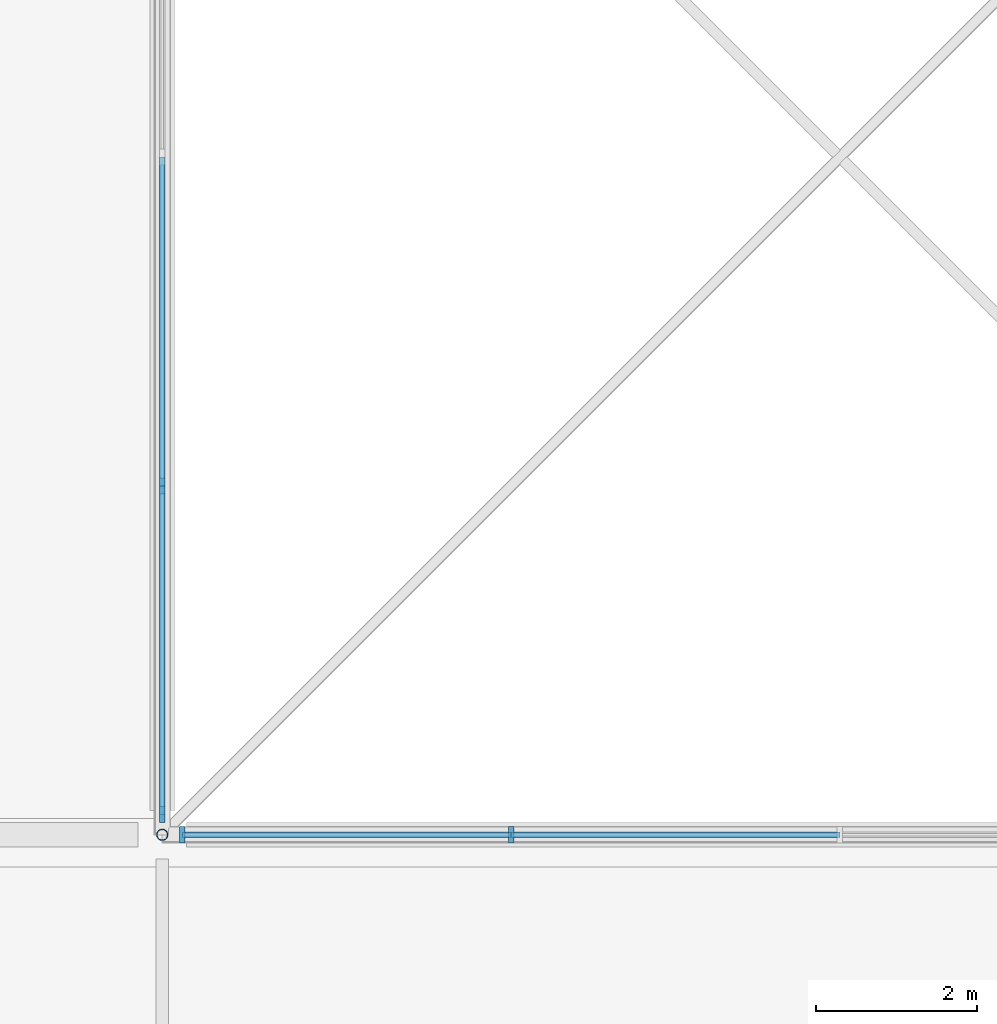
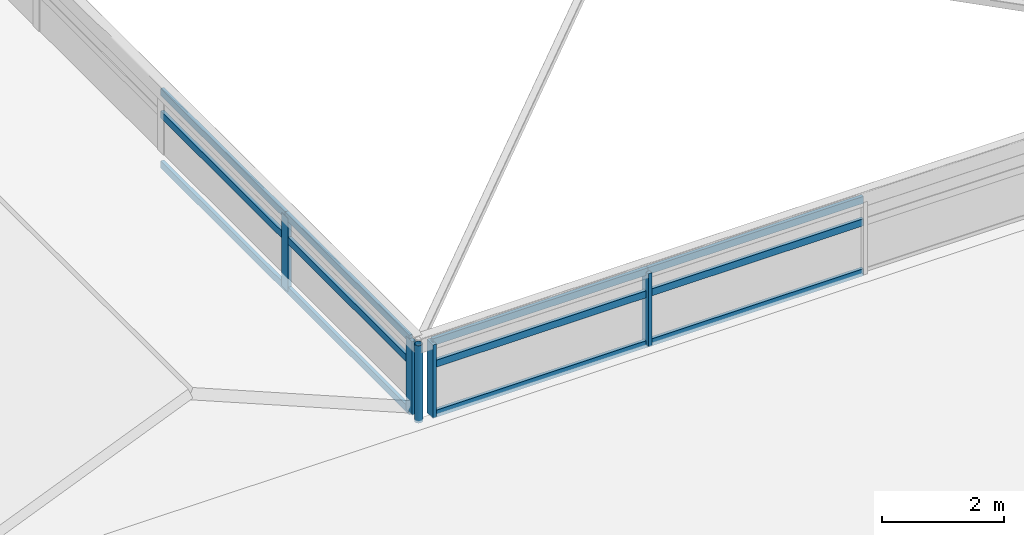
# One storey, part 2 of 14: 17 members, 2 elements without a shape of their own.
"""IFC4 building model written with IfcOpenShell, lengths in metres."""

from ifc_helpers import new_model, si_unit, direction, frame, origin, origin_2d, place, context, subcontext, project, spatial, rectangle, hollow_circle, extrude, material, layer, layer_set, material_profile, profile_set, type_object, element, aggregate, save


model = new_model("IFC4")

# Units and contexts
model_context = context("Model", 3, precision=1e-05, world=origin(), true_north=direction((0.0, 1.0)))
body_context = subcontext(model_context, "Body", "Model", "MODEL_VIEW")
ifc_project = project(units=[si_unit("LENGTHUNIT", "METRE"), si_unit("AREAUNIT", "SQUARE_METRE"), si_unit("VOLUMEUNIT", "CUBIC_METRE"), si_unit("PLANEANGLEUNIT", "RADIAN"), si_unit("MASSUNIT", "GRAM", prefix="KILO")], contexts=[model_context])

# Site, building, storey
site_placement = place(None, origin())
site = spatial("IfcSite", under=ifc_project, at=site_placement, CompositionType="ELEMENT")
building_placement = place(site_placement, origin())
building = spatial("IfcBuilding", under=site, at=building_placement, Name="Qawsi Khor Wholesale Market", CompositionType="ELEMENT")
storey_placement = place(building_placement, frame((0.0, 0.0, 20.699951171875)))
storey = spatial("IfcBuildingStorey", under=building, at=storey_placement, Name="RF", CompositionType="ELEMENT", Elevation=20.699951171875)

# Curtain wall, members
ifc_material_1 = material(Name="Aluminium Anodised Bronze", Category="aluminium")
ifc_layer = layer(ifc_material_1, 0.179931640625, Name="Aluminium Anodised Bronze")
ifc_layer_set = layer_set([ifc_layer], Name="Aluminium Anodised Bronze")
curtain_wall_type = type_object("IfcCurtainWallType", Name="Atrium Full-Height Curtain Wall CW-02", PredefinedType="NOTDEFINED", material=ifc_layer_set)
curtain_wall_1_placement = place(storey_placement, origin())
curtain_wall_1 = element("IfcCurtainWall", 1, at=curtain_wall_1_placement, inside=storey, type_object=curtain_wall_type, Name="Curtain wall CW-CW-02-RF-046", PredefinedType="NOTDEFINED")
ifc_material_profile_1 = material_profile(ifc_material_1, rectangle(XDim=0.070068359375, YDim=0.199951171875, at=origin_2d()), Name="ALU MULLION 70x200")
ifc_profile_set_1 = profile_set([ifc_material_profile_1], Name="Aluminium Anodised Bronze")
member_type_1 = type_object("IfcMemberType", Name="Curtain Wall Mullion CW-02 ALU MULLION 70x200", PredefinedType="MULLION", material=ifc_profile_set_1)
member_1_placement = place(storey_placement, frame((50.64990234375, 25.199951171875, -0.02001953125), z_axis=(0.0, 0.0, 1.0), x_axis=(1.0, 0.0, 0.0)))
member_1 = element("IfcMember", 2, at=member_1_placement, type_object=member_type_1, Name="Mullion CW-CW-02-RF-046-M00", PredefinedType="MULLION", context=body_context, shape_type="SweptSolid", body=[
    extrude(rectangle(XDim=0.070068359375, YDim=0.199951171875, at=origin_2d()), origin(), (0.0, 0.0, 1.0), 1.469970703125),
])
member_2_placement = place(storey_placement, frame((54.72509765625, 25.199951171875, -0.02001953125), z_axis=(0.0, 0.0, 1.0), x_axis=(1.0, 0.0, 0.0)))
member_2 = element("IfcMember", 3, at=member_2_placement, type_object=member_type_1, Name="Mullion CW-CW-02-RF-046-M01", PredefinedType="MULLION", context=body_context, shape_type="SweptSolid", body=[
    extrude(rectangle(XDim=0.070068359375, YDim=0.199951171875, at=origin_2d()), origin(), (0.0, 0.0, 1.0), 1.469970703125),
])

curtain_wall_2_placement = place(storey_placement, origin())
curtain_wall_2 = element("IfcCurtainWall", 4, at=curtain_wall_2_placement, inside=storey, type_object=curtain_wall_type, Name="Curtain wall CW-CW-02-RF-048", PredefinedType="NOTDEFINED")
member_3_placement = place(storey_placement, frame((50.39990234375, 25.449951171875, -0.02001953125), z_axis=(0.0, 0.0, 1.0), x_axis=(1.0, 0.0, 0.0)))
member_3 = element("IfcMember", 5, at=member_3_placement, type_object=member_type_1, Name="Mullion CW-CW-02-RF-048-M00", PredefinedType="MULLION", context=body_context, shape_type="SweptSolid", body=[
    extrude(rectangle(XDim=0.070068359375, YDim=0.199951171875, at=origin_2d()), origin(), (0.0, 0.0, 1.0), 1.469970703125),
])
member_4_placement = place(storey_placement, frame((50.39990234375, 29.52490234375, -0.02001953125), z_axis=(0.0, 0.0, 1.0), x_axis=(1.0, 0.0, 0.0)))
member_4 = element("IfcMember", 6, at=member_4_placement, type_object=member_type_1, Name="Mullion CW-CW-02-RF-048-M01", PredefinedType="MULLION", context=body_context, shape_type="SweptSolid", body=[
    extrude(rectangle(XDim=0.070068359375, YDim=0.199951171875, at=origin_2d()), origin(), (0.0, 0.0, 1.0), 1.469970703125),
])

# Member
ifc_material_profile_2 = material_profile(ifc_material_1, rectangle(XDim=0.06494140625, YDim=0.139892578125, at=origin_2d()), Name="ALU TRANSOM 65x140")
ifc_profile_set_2 = profile_set([ifc_material_profile_2], Name="Aluminium Anodised Bronze")
member_type_2 = type_object("IfcMemberType", Name="Curtain Wall Transom CW-02 ALU TRANSOM 65x140", PredefinedType="USERDEFINED", material=ifc_profile_set_2)
member_5_placement = place(storey_placement, frame((50.64990234375, 25.199951171875, 0.0), z_axis=(1.0, 0.0, 0.0), x_axis=(0.0, 1.0, 0.0)))
member_5 = element("IfcMember", 7, at=member_5_placement, type_object=member_type_2, Name="Transom CW-CW-02-RF-046-T0_00", ObjectType="TRANSOM", PredefinedType="USERDEFINED", context=body_context, shape_type="SweptSolid", body=[
    extrude(rectangle(XDim=0.06494140625, YDim=0.139892578125, at=origin_2d()), origin(), (0.0, 0.0, 1.0), 4.0751953125),
])

member_6_placement = place(storey_placement, frame((54.72509765625, 25.199951171875, 0.0), z_axis=(1.0, 0.0, 0.0), x_axis=(0.0, 1.0, 0.0)))
member_6 = element("IfcMember", 8, at=member_6_placement, type_object=member_type_2, Name="Transom CW-CW-02-RF-046-T0_01", ObjectType="TRANSOM", PredefinedType="USERDEFINED", context=body_context, shape_type="SweptSolid", body=[
    extrude(rectangle(XDim=0.06494140625, YDim=0.139892578125, at=origin_2d()), origin(), (0.0, 0.0, 1.0), 4.074951171875),
])

member_7_placement = place(storey_placement, frame((50.64990234375, 25.199951171875, 1.0), z_axis=(1.0, 0.0, 0.0), x_axis=(0.0, 1.0, 0.0)))
member_7 = element("IfcMember", 9, at=member_7_placement, type_object=member_type_2, Name="Transom CW-CW-02-RF-046-T1_00", ObjectType="TRANSOM", PredefinedType="USERDEFINED", context=body_context, shape_type="SweptSolid", body=[
    extrude(rectangle(XDim=0.06494140625, YDim=0.139892578125, at=origin_2d()), origin(), (0.0, 0.0, 1.0), 4.0751953125),
])

member_8_placement = place(storey_placement, frame((54.72509765625, 25.199951171875, 1.0), z_axis=(1.0, 0.0, 0.0), x_axis=(0.0, 1.0, 0.0)))
member_8 = element("IfcMember", 10, at=member_8_placement, type_object=member_type_2, Name="Transom CW-CW-02-RF-046-T1_01", ObjectType="TRANSOM", PredefinedType="USERDEFINED", context=body_context, shape_type="SweptSolid", body=[
    extrude(rectangle(XDim=0.06494140625, YDim=0.139892578125, at=origin_2d()), origin(), (0.0, 0.0, 1.0), 4.074951171875),
])

member_9_placement = place(storey_placement, frame((50.64990234375, 25.199951171875, 1.449951171875), z_axis=(1.0, 0.0, 0.0), x_axis=(0.0, 1.0, 0.0)))
member_9 = element("IfcMember", 11, at=member_9_placement, type_object=member_type_2, Name="Transom CW-CW-02-RF-046-T2_00", ObjectType="TRANSOM", PredefinedType="USERDEFINED", context=body_context, shape_type="SweptSolid", body=[
    extrude(rectangle(XDim=0.06494140625, YDim=0.139892578125, at=origin_2d()), origin(), (0.0, 0.0, 1.0), 4.0751953125),
])

member_10_placement = place(storey_placement, frame((54.72509765625, 25.199951171875, 1.449951171875), z_axis=(1.0, 0.0, 0.0), x_axis=(0.0, 1.0, 0.0)))
member_10 = element("IfcMember", 12, at=member_10_placement, type_object=member_type_2, Name="Transom CW-CW-02-RF-046-T2_01", ObjectType="TRANSOM", PredefinedType="USERDEFINED", context=body_context, shape_type="SweptSolid", body=[
    extrude(rectangle(XDim=0.06494140625, YDim=0.139892578125, at=origin_2d()), origin(), (0.0, 0.0, 1.0), 4.074951171875),
])

aggregate(curtain_wall_1, [member_1, member_2, member_5, member_6, member_7, member_8, member_9, member_10])

member_11_placement = place(storey_placement, frame((50.39990234375, 25.449951171875, 0.0), z_axis=(0.0, 1.0, 0.0), x_axis=(-1.0, 0.0, 0.0)))
member_11 = element("IfcMember", 13, at=member_11_placement, type_object=member_type_2, Name="Transom CW-CW-02-RF-048-T0_00", ObjectType="TRANSOM", PredefinedType="USERDEFINED", context=body_context, shape_type="SweptSolid", body=[
    extrude(rectangle(XDim=0.06494140625, YDim=0.139892578125, at=origin_2d()), origin(), (0.0, 0.0, 1.0), 4.074951171875),
])

member_12_placement = place(storey_placement, frame((50.39990234375, 29.52490234375, 0.0), z_axis=(0.0, 1.0, 0.0), x_axis=(-1.0, 0.0, 0.0)))
member_12 = element("IfcMember", 14, at=member_12_placement, type_object=member_type_2, Name="Transom CW-CW-02-RF-048-T0_01", ObjectType="TRANSOM", PredefinedType="USERDEFINED", context=body_context, shape_type="SweptSolid", body=[
    extrude(rectangle(XDim=0.06494140625, YDim=0.139892578125, at=origin_2d()), origin(), (0.0, 0.0, 1.0), 4.0751953125),
])

member_13_placement = place(storey_placement, frame((50.39990234375, 25.449951171875, 1.0), z_axis=(0.0, 1.0, 0.0), x_axis=(-1.0, 0.0, 0.0)))
member_13 = element("IfcMember", 15, at=member_13_placement, type_object=member_type_2, Name="Transom CW-CW-02-RF-048-T1_00", ObjectType="TRANSOM", PredefinedType="USERDEFINED", context=body_context, shape_type="SweptSolid", body=[
    extrude(rectangle(XDim=0.06494140625, YDim=0.139892578125, at=origin_2d()), origin(), (0.0, 0.0, 1.0), 4.074951171875),
])

member_14_placement = place(storey_placement, frame((50.39990234375, 29.52490234375, 1.0), z_axis=(0.0, 1.0, 0.0), x_axis=(-1.0, 0.0, 0.0)))
member_14 = element("IfcMember", 16, at=member_14_placement, type_object=member_type_2, Name="Transom CW-CW-02-RF-048-T1_01", ObjectType="TRANSOM", PredefinedType="USERDEFINED", context=body_context, shape_type="SweptSolid", body=[
    extrude(rectangle(XDim=0.06494140625, YDim=0.139892578125, at=origin_2d()), origin(), (0.0, 0.0, 1.0), 4.0751953125),
])

member_15_placement = place(storey_placement, frame((50.39990234375, 25.449951171875, 1.449951171875), z_axis=(0.0, 1.0, 0.0), x_axis=(-1.0, 0.0, 0.0)))
member_15 = element("IfcMember", 17, at=member_15_placement, type_object=member_type_2, Name="Transom CW-CW-02-RF-048-T2_00", ObjectType="TRANSOM", PredefinedType="USERDEFINED", context=body_context, shape_type="SweptSolid", body=[
    extrude(rectangle(XDim=0.06494140625, YDim=0.139892578125, at=origin_2d()), origin(), (0.0, 0.0, 1.0), 4.074951171875),
])

member_16_placement = place(storey_placement, frame((50.39990234375, 29.52490234375, 1.449951171875), z_axis=(0.0, 1.0, 0.0), x_axis=(-1.0, 0.0, 0.0)))
member_16 = element("IfcMember", 18, at=member_16_placement, type_object=member_type_2, Name="Transom CW-CW-02-RF-048-T2_01", ObjectType="TRANSOM", PredefinedType="USERDEFINED", context=body_context, shape_type="SweptSolid", body=[
    extrude(rectangle(XDim=0.06494140625, YDim=0.139892578125, at=origin_2d()), origin(), (0.0, 0.0, 1.0), 4.0751953125),
])

aggregate(curtain_wall_2, [member_3, member_4, member_11, member_12, member_13, member_14, member_15, member_16])

ifc_material_2 = material(Name="Steel S355", Category="steel")
ifc_material_profile_3 = material_profile(ifc_material_2, hollow_circle(Radius=0.06982421875, WallThickness=0.00634765625, at=origin_2d()), Name="CHS 139.7x6.3")
ifc_profile_set_3 = profile_set([ifc_material_profile_3], Name="Steel S355")
member_type_3 = type_object("IfcMemberType", Name="Lantern Corner Strut CHS 139.7x6.3", PredefinedType="STRUT", material=ifc_profile_set_3)
member_17_placement = place(storey_placement, frame((50.39990234375, 25.199951171875, -0.050048828125), z_axis=(0.0, 0.0, 1.0), x_axis=(1.0, 0.0, 0.0)))
element("IfcMember", 19, at=member_17_placement, inside=storey, type_object=member_type_3, Name="Atrium lantern corner post WAT-1", PredefinedType="STRUT", context=body_context, shape_type="SweptSolid", body=[
    extrude(hollow_circle(Radius=0.06982421875, WallThickness=0.00634765625, at=origin_2d()), origin(), (0.0, 0.0, 1.0), 1.550048828125),
])

save(model, "model.ifc")
